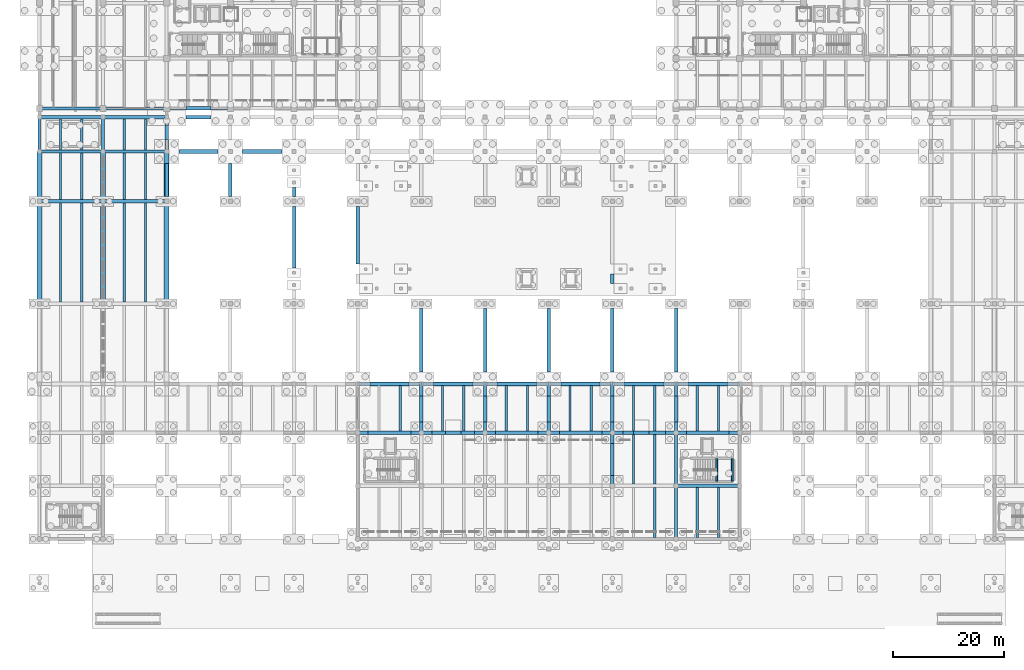
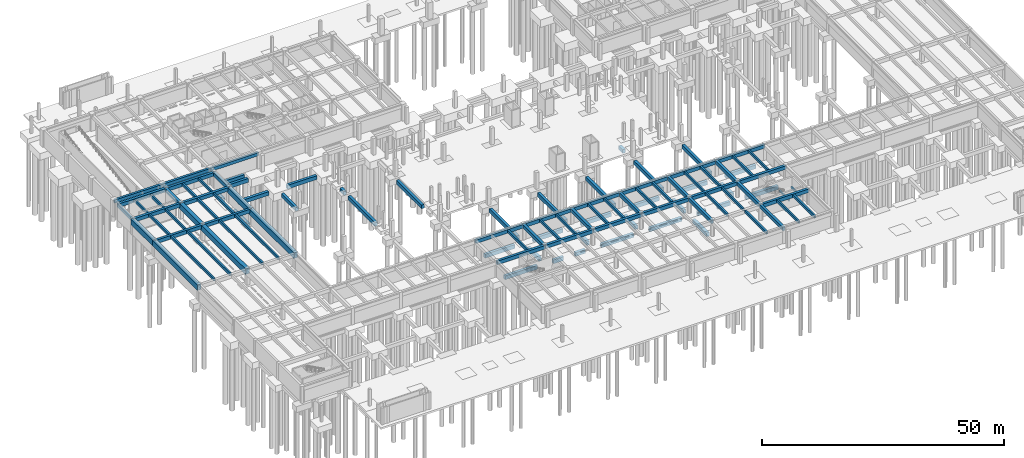
# One storey, part 12 of 28: 105 beams.
"""IFC4 building model written with IfcOpenShell, lengths in metres."""

from ifc_helpers import new_model, si_unit, direction, frame, origin, origin_2d, place, context, subcontext, project, spatial, rectangle, extrude, material, material_profile, profile_set, type_object, element, save


model = new_model("IFC4")

# Units and contexts
model_context = context("Model", 3, precision=1e-05, world=origin(), true_north=direction((0.0, 1.0)))
body_context = subcontext(model_context, "Body", "Model", "MODEL_VIEW")
ifc_project = project(units=[si_unit("LENGTHUNIT", "METRE"), si_unit("AREAUNIT", "SQUARE_METRE"), si_unit("VOLUMEUNIT", "CUBIC_METRE"), si_unit("PLANEANGLEUNIT", "RADIAN"), si_unit("MASSUNIT", "GRAM", prefix="KILO")], contexts=[model_context])

# Site, building, storey
site_placement = place(None, origin())
site = spatial("IfcSite", under=ifc_project, at=site_placement, CompositionType="ELEMENT")
building_placement = place(site_placement, origin())
building = spatial("IfcBuilding", under=site, at=building_placement, Name="Ologun Quay Terminus", CompositionType="ELEMENT")
storey_placement = place(building_placement, frame((0.0, 0.0, -8.39990234375)))
storey = spatial("IfcBuildingStorey", under=building, at=storey_placement, Name="B02", CompositionType="ELEMENT", Elevation=-8.39990234375)

# Beams
ifc_material_1 = material(Name="Concrete C40/50", Category="concrete")
ifc_material_profile_1 = material_profile(ifc_material_1, rectangle(XDim=0.300048828125, YDim=0.449951171875, at=origin_2d()), Name="RC 300x450")
ifc_profile_set_1 = profile_set([ifc_material_profile_1], Name="Concrete C40/50")
beam_type_1 = type_object("IfcBeamType", Name="Core Coupling Lintel Beam 300x450", PredefinedType="LINTEL", material=ifc_profile_set_1)
for number, where, z_axis, x_axis, name in (
    (1, (122.340087890625, 18.47998046875, 1.69482421875), (0.0, 1.0, 0.0), (-1.0, 0.0, 0.0), "LN1 Half-Landing Ledger Beam ST-S4-W B02"),
    (2, (125.159912109375, 18.47998046875, 1.69482421875), (0.0, 1.0, 0.0), (-1.0, 0.0, 0.0), "LN1 Half-Landing Ledger Beam ST-S4-E B02"),
):
    element("IfcBeam", number, at=place(storey_placement, frame(where, z_axis=z_axis, x_axis=x_axis)), inside=storey, type_object=beam_type_1, Name=name, PredefinedType="LINTEL", context=body_context, shape_type="SweptSolid", body=[
        extrude(rectangle(XDim=0.300048828125, YDim=0.449951171875, at=origin_2d()), origin(), (0.0, 0.0, 1.0), 4.0400390625),
    ])
ifc_material_2 = material(Name="Concrete C40/50", Category="concrete")
ifc_material_profile_2 = material_profile(ifc_material_2, rectangle(XDim=0.550048828125, YDim=0.800048828125, at=origin_2d()), Name="RC 550x800")
ifc_profile_set_2 = profile_set([ifc_material_profile_2], Name="Concrete C40/50")
beam_type_2 = type_object("IfcBeamType", Name="Courtyard Wing Primary Girder 550x800", PredefinedType="BEAM", material=ifc_profile_set_2)
for number, where, z_axis, x_axis, name in (
    (3, (0.0, 85.800048828125, 3.52001953125), (1.0, 0.0, 0.0), (0.0, 1.0, 0.0), "B4 Beam 1/G2 B02"),
    (4, (11.5, 85.800048828125, 3.52001953125), (1.0, 0.0, 0.0), (0.0, 1.0, 0.0), "B4 Beam 2/G2 B02"),
    (5, (23.0, 85.800048828125, 3.52001953125), (1.0, 0.0, 0.0), (0.0, 1.0, 0.0), "B4 Beam 3/G2 B02"),
):
    element("IfcBeam", number, at=place(storey_placement, frame(where, z_axis=z_axis, x_axis=x_axis)), inside=storey, type_object=beam_type_2, Name=name, PredefinedType="BEAM", context=body_context, shape_type="SweptSolid", body=[
        extrude(rectangle(XDim=0.550048828125, YDim=0.800048828125, at=origin_2d()), origin(), (0.0, 0.0, 1.0), 11.5),
    ])
ifc_material_3 = material(Name="Concrete C35/45", Category="concrete")
ifc_material_profile_3 = material_profile(ifc_material_3, rectangle(XDim=0.64990234375, YDim=0.949951171875, at=origin_2d()), Name="RC 650x950")
ifc_profile_set_3 = profile_set([ifc_material_profile_3], Name="Concrete C35/45")
beam_type_3 = type_object("IfcBeamType", Name="Foundation Tie Beam 650x950", PredefinedType="BEAM", material=ifc_profile_set_3)
beam_1_placement = place(storey_placement, frame((59.39990234375, 27.199951171875, -0.925048828125), z_axis=(1.0, 0.0, 0.0), x_axis=(0.0, 1.0, 0.0)))
element("IfcBeam", 6, at=beam_1_placement, inside=storey, type_object=beam_type_3, Name="GB1 Beam 1/D B02", PredefinedType="BEAM", context=body_context, shape_type="SweptSolid", body=[
    extrude(rectangle(XDim=0.64990234375, YDim=0.949951171875, at=origin_2d()), origin(), (0.0, 0.0, 1.0), 7.7001953125),
])
for number, where, z_axis, x_axis, name in (
    (7, (70.89990234375, 27.199951171875, -0.925048828125), (1.0, 0.0, 0.0), (0.0, 1.0, 0.0), "GB1 Beam 1/D B02"),
    (8, (76.14990234375, 27.199951171875, -0.925048828125), (1.0, 0.0, 0.0), (0.0, 1.0, 0.0), "GB1 Beam 1/D B02"),
):
    element("IfcBeam", number, at=place(storey_placement, frame(where, z_axis=z_axis, x_axis=x_axis)), inside=storey, type_object=beam_type_3, Name=name, PredefinedType="BEAM", context=body_context, shape_type="SweptSolid", body=[
        extrude(rectangle(XDim=0.64990234375, YDim=0.949951171875, at=origin_2d()), origin(), (0.0, 0.0, 1.0), 2.4501953125),
    ])
for number, where, z_axis, x_axis, name in (
    (9, (82.39990234375, 27.199951171875, -0.925048828125), (1.0, 0.0, 0.0), (0.0, 1.0, 0.0), "GB1 Beam 1/D B02"),
    (10, (93.89990234375, 27.199951171875, -0.925048828125), (1.0, 0.0, 0.0), (0.0, 1.0, 0.0), "GB1 Beam 1/D B02"),
):
    element("IfcBeam", number, at=place(storey_placement, frame(where, z_axis=z_axis, x_axis=x_axis)), inside=storey, type_object=beam_type_3, Name=name, PredefinedType="BEAM", context=body_context, shape_type="SweptSolid", body=[
        extrude(rectangle(XDim=0.64990234375, YDim=0.949951171875, at=origin_2d()), origin(), (0.0, 0.0, 1.0), 7.7001953125),
    ])
beam_2_placement = place(storey_placement, frame((105.39990234375, 27.199951171875, -0.925048828125), z_axis=(1.0, 0.0, 0.0), x_axis=(0.0, 1.0, 0.0)))
element("IfcBeam", 11, at=beam_2_placement, inside=storey, type_object=beam_type_3, Name="GB1 Beam 1/D B02", PredefinedType="BEAM", context=body_context, shape_type="SweptSolid", body=[
    extrude(rectangle(XDim=0.64990234375, YDim=0.949951171875, at=origin_2d()), origin(), (0.0, 0.0, 1.0), 1.9501953125),
])
beam_3_placement = place(storey_placement, frame((110.14990234375, 27.199951171875, -0.925048828125), z_axis=(1.0, 0.0, 0.0), x_axis=(0.0, 1.0, 0.0)))
element("IfcBeam", 12, at=beam_3_placement, inside=storey, type_object=beam_type_3, Name="GB1 Beam 1/D B02", PredefinedType="BEAM", context=body_context, shape_type="SweptSolid", body=[
    extrude(rectangle(XDim=0.64990234375, YDim=0.949951171875, at=origin_2d()), origin(), (0.0, 0.0, 1.0), 2.9501953125),
])
beam_4_placement = place(storey_placement, frame((116.89990234375, 27.199951171875, -0.925048828125), z_axis=(1.0, 0.0, 0.0), x_axis=(0.0, 1.0, 0.0)))
element("IfcBeam", 13, at=beam_4_placement, inside=storey, type_object=beam_type_3, Name="GB1 Beam 1/D B02", PredefinedType="BEAM", context=body_context, shape_type="SweptSolid", body=[
    extrude(rectangle(XDim=0.64990234375, YDim=0.949951171875, at=origin_2d()), origin(), (0.0, 0.0, 1.0), 7.7001953125),
])
for number, where, z_axis, x_axis, name in (
    (14, (59.699951171875, 36.0, -0.925048828125), (1.0, 0.0, 0.0), (0.0, 1.0, 0.0), "GB1 Beam 1/E B02"),
    (15, (71.199951171875, 36.0, -0.925048828125), (1.0, 0.0, 0.0), (0.0, 1.0, 0.0), "GB1 Beam 1/E B02"),
    (16, (82.699951171875, 36.0, -0.925048828125), (1.0, 0.0, 0.0), (0.0, 1.0, 0.0), "GB1 Beam 1/E B02"),
    (17, (94.199951171875, 36.0, -0.925048828125), (1.0, 0.0, 0.0), (0.0, 1.0, 0.0), "GB1 Beam 1/E B02"),
    (18, (105.699951171875, 36.0, -0.925048828125), (1.0, 0.0, 0.0), (0.0, 1.0, 0.0), "GB1 Beam 1/E B02"),
    (19, (117.199951171875, 36.0, -0.925048828125), (1.0, 0.0, 0.0), (0.0, 1.0, 0.0), "GB1 Beam 1/E B02"),
    (20, (25.199951171875, 78.0, -0.925048828125), (1.0, 0.0, 0.0), (0.0, 1.0, 0.0), "GB1 Beam 1/F B02"),
    (21, (36.699951171875, 78.0, -0.925048828125), (1.0, 0.0, 0.0), (0.0, 1.0, 0.0), "GB1 Beam 1/F B02"),
):
    element("IfcBeam", number, at=place(storey_placement, frame(where, z_axis=z_axis, x_axis=x_axis)), inside=storey, type_object=beam_type_3, Name=name, PredefinedType="BEAM", context=body_context, shape_type="SweptSolid", body=[
        extrude(rectangle(XDim=0.64990234375, YDim=0.949951171875, at=origin_2d()), origin(), (0.0, 0.0, 1.0), 7.10009765625),
    ])
for number, where, z_axis, x_axis, name in (
    (22, (26.5, 84.199951171875, -0.925048828125), (1.0, 0.0, 0.0), (0.0, 1.0, 0.0), "GB1 Beam 1/G1 B02"),
    (23, (26.5, 85.800048828125, -0.925048828125), (1.0, 0.0, 0.0), (0.0, 1.0, 0.0), "GB1 Beam 1/G2 B02"),
):
    element("IfcBeam", number, at=place(storey_placement, frame(where, z_axis=z_axis, x_axis=x_axis)), inside=storey, type_object=beam_type_3, Name=name, PredefinedType="BEAM", context=body_context, shape_type="SweptSolid", body=[
        extrude(rectangle(XDim=0.64990234375, YDim=0.949951171875, at=origin_2d()), origin(), (0.0, 0.0, 1.0), 4.5),
    ])
beam_5_placement = place(storey_placement, frame((23.0, 69.89990234375, -0.925048828125), z_axis=(0.0, 1.0, 0.0), x_axis=(-1.0, 0.0, 0.0)))
element("IfcBeam", 24, at=beam_5_placement, inside=storey, type_object=beam_type_3, Name="GB1 Beam 3/B B02", PredefinedType="BEAM", context=body_context, shape_type="SweptSolid", body=[
    extrude(rectangle(XDim=0.64990234375, YDim=0.949951171875, at=origin_2d()), origin(), (0.0, 0.0, 1.0), 5.900146484375),
])
beam_6_placement = place(storey_placement, frame((23.0, 80.199951171875, -0.925048828125), z_axis=(0.0, 1.0, 0.0), x_axis=(-1.0, 0.0, 0.0)))
element("IfcBeam", 25, at=beam_6_placement, inside=storey, type_object=beam_type_3, Name="GB1 Beam 3/B B02", PredefinedType="BEAM", context=body_context, shape_type="SweptSolid", body=[
    extrude(rectangle(XDim=0.64990234375, YDim=0.949951171875, at=origin_2d()), origin(), (0.0, 0.0, 1.0), 2.5),
])
beam_7_placement = place(storey_placement, frame((34.5, 69.89990234375, -0.925048828125), z_axis=(0.0, 1.0, 0.0), x_axis=(-1.0, 0.0, 0.0)))
element("IfcBeam", 26, at=beam_7_placement, inside=storey, type_object=beam_type_3, Name="GB1 Beam 4/B B02", PredefinedType="BEAM", context=body_context, shape_type="SweptSolid", body=[
    extrude(rectangle(XDim=0.64990234375, YDim=0.949951171875, at=origin_2d()), origin(), (0.0, 0.0, 1.0), 5.900146484375),
])
beam_8_placement = place(storey_placement, frame((46.0, 57.0, -0.925048828125), z_axis=(0.0, 1.0, 0.0), x_axis=(-1.0, 0.0, 0.0)))
element("IfcBeam", 27, at=beam_8_placement, inside=storey, type_object=beam_type_3, Name="GB1 Beam 5/B B02", PredefinedType="BEAM", context=body_context, shape_type="SweptSolid", body=[
    extrude(rectangle(XDim=0.64990234375, YDim=0.949951171875, at=origin_2d()), origin(), (0.0, 0.0, 1.0), 11.10009765625),
])
beam_9_placement = place(storey_placement, frame((46.0, 69.89990234375, -0.925048828125), z_axis=(0.0, 1.0, 0.0), x_axis=(-1.0, 0.0, 0.0)))
element("IfcBeam", 28, at=beam_9_placement, inside=storey, type_object=beam_type_3, Name="GB1 Beam 5/B B02", PredefinedType="BEAM", context=body_context, shape_type="SweptSolid", body=[
    extrude(rectangle(XDim=0.64990234375, YDim=0.949951171875, at=origin_2d()), origin(), (0.0, 0.0, 1.0), 1.60009765625),
])
beam_10_placement = place(storey_placement, frame((57.5, 57.64990234375, -0.925048828125), z_axis=(0.0, 1.0, 0.0), x_axis=(-1.0, 0.0, 0.0)))
element("IfcBeam", 29, at=beam_10_placement, inside=storey, type_object=beam_type_3, Name="GB1 Beam 6/B B02", PredefinedType="BEAM", context=body_context, shape_type="SweptSolid", body=[
    extrude(rectangle(XDim=0.64990234375, YDim=0.949951171875, at=origin_2d()), origin(), (0.0, 0.0, 1.0), 10.4501953125),
])
beam_11_placement = place(storey_placement, frame((69.0, 29.10009765625, -0.925048828125), z_axis=(0.0, 1.0, 0.0), x_axis=(-1.0, 0.0, 0.0)))
element("IfcBeam", 30, at=beam_11_placement, inside=storey, type_object=beam_type_3, Name="GB1 Beam 7/B B02", PredefinedType="BEAM", context=body_context, shape_type="SweptSolid", body=[
    extrude(rectangle(XDim=0.64990234375, YDim=0.949951171875, at=origin_2d()), origin(), (0.0, 0.0, 1.0), 4.699951171875),
])
beam_12_placement = place(storey_placement, frame((69.0, 38.199951171875, -0.925048828125), z_axis=(0.0, 1.0, 0.0), x_axis=(-1.0, 0.0, 0.0)))
element("IfcBeam", 31, at=beam_12_placement, inside=storey, type_object=beam_type_3, Name="GB1 Beam 7/B B02", PredefinedType="BEAM", context=body_context, shape_type="SweptSolid", body=[
    extrude(rectangle(XDim=0.64990234375, YDim=0.949951171875, at=origin_2d()), origin(), (0.0, 0.0, 1.0), 11.400146484375),
])
beam_13_placement = place(storey_placement, frame((80.5, 29.10009765625, -0.925048828125), z_axis=(0.0, 1.0, 0.0), x_axis=(-1.0, 0.0, 0.0)))
element("IfcBeam", 32, at=beam_13_placement, inside=storey, type_object=beam_type_3, Name="GB1 Beam 8/B B02", PredefinedType="BEAM", context=body_context, shape_type="SweptSolid", body=[
    extrude(rectangle(XDim=0.64990234375, YDim=0.949951171875, at=origin_2d()), origin(), (0.0, 0.0, 1.0), 4.699951171875),
])
beam_14_placement = place(storey_placement, frame((80.5, 38.199951171875, -0.925048828125), z_axis=(0.0, 1.0, 0.0), x_axis=(-1.0, 0.0, 0.0)))
element("IfcBeam", 33, at=beam_14_placement, inside=storey, type_object=beam_type_3, Name="GB1 Beam 8/B B02", PredefinedType="BEAM", context=body_context, shape_type="SweptSolid", body=[
    extrude(rectangle(XDim=0.64990234375, YDim=0.949951171875, at=origin_2d()), origin(), (0.0, 0.0, 1.0), 11.400146484375),
])
beam_15_placement = place(storey_placement, frame((92.0, 29.10009765625, -0.925048828125), z_axis=(0.0, 1.0, 0.0), x_axis=(-1.0, 0.0, 0.0)))
element("IfcBeam", 34, at=beam_15_placement, inside=storey, type_object=beam_type_3, Name="GB1 Beam 9/B B02", PredefinedType="BEAM", context=body_context, shape_type="SweptSolid", body=[
    extrude(rectangle(XDim=0.64990234375, YDim=0.949951171875, at=origin_2d()), origin(), (0.0, 0.0, 1.0), 4.699951171875),
])
beam_16_placement = place(storey_placement, frame((92.0, 38.199951171875, -0.925048828125), z_axis=(0.0, 1.0, 0.0), x_axis=(-1.0, 0.0, 0.0)))
element("IfcBeam", 35, at=beam_16_placement, inside=storey, type_object=beam_type_3, Name="GB1 Beam 9/B B02", PredefinedType="BEAM", context=body_context, shape_type="SweptSolid", body=[
    extrude(rectangle(XDim=0.64990234375, YDim=0.949951171875, at=origin_2d()), origin(), (0.0, 0.0, 1.0), 11.400146484375),
])
beam_17_placement = place(storey_placement, frame((103.5, 19.5, -0.925048828125), z_axis=(0.0, 1.0, 0.0), x_axis=(-1.0, 0.0, 0.0)))
element("IfcBeam", 36, at=beam_17_placement, inside=storey, type_object=beam_type_3, Name="GB1 Beam 10/B B02", PredefinedType="BEAM", context=body_context, shape_type="SweptSolid", body=[
    extrude(rectangle(XDim=0.64990234375, YDim=0.949951171875, at=origin_2d()), origin(), (0.0, 0.0, 1.0), 5.800048828125),
])
beam_18_placement = place(storey_placement, frame((103.5, 29.10009765625, -0.925048828125), z_axis=(0.0, 1.0, 0.0), x_axis=(-1.0, 0.0, 0.0)))
element("IfcBeam", 37, at=beam_18_placement, inside=storey, type_object=beam_type_3, Name="GB1 Beam 10/B B02", PredefinedType="BEAM", context=body_context, shape_type="SweptSolid", body=[
    extrude(rectangle(XDim=0.64990234375, YDim=0.949951171875, at=origin_2d()), origin(), (0.0, 0.0, 1.0), 4.699951171875),
])
beam_19_placement = place(storey_placement, frame((103.5, 38.199951171875, -0.925048828125), z_axis=(0.0, 1.0, 0.0), x_axis=(-1.0, 0.0, 0.0)))
element("IfcBeam", 38, at=beam_19_placement, inside=storey, type_object=beam_type_3, Name="GB1 Beam 10/B B02", PredefinedType="BEAM", context=body_context, shape_type="SweptSolid", body=[
    extrude(rectangle(XDim=0.64990234375, YDim=0.949951171875, at=origin_2d()), origin(), (0.0, 0.0, 1.0), 11.400146484375),
])
beam_20_placement = place(storey_placement, frame((103.5, 54.14990234375, -0.925048828125), z_axis=(0.0, 1.0, 0.0), x_axis=(-1.0, 0.0, 0.0)))
element("IfcBeam", 39, at=beam_20_placement, inside=storey, type_object=beam_type_3, Name="GB1 Beam 10/B B02", PredefinedType="BEAM", context=body_context, shape_type="SweptSolid", body=[
    extrude(rectangle(XDim=0.64990234375, YDim=0.949951171875, at=origin_2d()), origin(), (0.0, 0.0, 1.0), 1.7001953125),
])
beam_21_placement = place(storey_placement, frame((115.0, 29.10009765625, -0.925048828125), z_axis=(0.0, 1.0, 0.0), x_axis=(-1.0, 0.0, 0.0)))
element("IfcBeam", 40, at=beam_21_placement, inside=storey, type_object=beam_type_3, Name="GB1 Beam 11/B B02", PredefinedType="BEAM", context=body_context, shape_type="SweptSolid", body=[
    extrude(rectangle(XDim=0.64990234375, YDim=0.949951171875, at=origin_2d()), origin(), (0.0, 0.0, 1.0), 4.699951171875),
])
beam_22_placement = place(storey_placement, frame((115.0, 38.199951171875, -0.925048828125), z_axis=(0.0, 1.0, 0.0), x_axis=(-1.0, 0.0, 0.0)))
element("IfcBeam", 41, at=beam_22_placement, inside=storey, type_object=beam_type_3, Name="GB1 Beam 11/B B02", PredefinedType="BEAM", context=body_context, shape_type="SweptSolid", body=[
    extrude(rectangle(XDim=0.64990234375, YDim=0.949951171875, at=origin_2d()), origin(), (0.0, 0.0, 1.0), 11.400146484375),
])
ifc_material_4 = material(Name="Concrete C45/55", Category="concrete")
ifc_material_profile_4 = material_profile(ifc_material_4, rectangle(XDim=0.89990234375, YDim=1.39990234375, at=origin_2d()), Name="RC 900x1400")
ifc_profile_set_4 = profile_set([ifc_material_profile_4], Name="Concrete C45/55")
beam_type_4 = type_object("IfcBeamType", Name="Heavy Track Deck Girder 900x1400", PredefinedType="BEAM", material=ifc_profile_set_4)
beam_23_placement = place(storey_placement, frame((0.0, 50.5, 3.219970703125), z_axis=(0.0, 1.0, 0.0), x_axis=(-1.0, 0.0, 0.0)))
element("IfcBeam", 42, at=beam_23_placement, inside=storey, type_object=beam_type_4, Name="B1 Beam 1/E B02", PredefinedType="BEAM", context=body_context, shape_type="SweptSolid", body=[
    extrude(rectangle(XDim=0.89990234375, YDim=1.39990234375, at=origin_2d()), origin(), (0.0, 0.0, 1.0), 18.5),
])
beam_24_placement = place(storey_placement, frame((0.0, 69.0, 3.219970703125), z_axis=(0.0, 1.0, 0.0), x_axis=(-1.0, 0.0, 0.0)))
element("IfcBeam", 43, at=beam_24_placement, inside=storey, type_object=beam_type_4, Name="B1 Beam 1/E B02", PredefinedType="BEAM", context=body_context, shape_type="SweptSolid", body=[
    extrude(rectangle(XDim=0.89990234375, YDim=1.39990234375, at=origin_2d()), origin(), (0.0, 0.0, 1.0), 9.0),
])
beam_25_placement = place(storey_placement, frame((11.5, 50.5, 3.219970703125), z_axis=(0.0, 1.0, 0.0), x_axis=(-1.0, 0.0, 0.0)))
element("IfcBeam", 44, at=beam_25_placement, inside=storey, type_object=beam_type_4, Name="B1 Beam 2/E B02", PredefinedType="BEAM", context=body_context, shape_type="SweptSolid", body=[
    extrude(rectangle(XDim=0.89990234375, YDim=1.39990234375, at=origin_2d()), origin(), (0.0, 0.0, 1.0), 18.5),
])
beam_26_placement = place(storey_placement, frame((11.5, 69.0, 3.219970703125), z_axis=(0.0, 1.0, 0.0), x_axis=(-1.0, 0.0, 0.0)))
element("IfcBeam", 45, at=beam_26_placement, inside=storey, type_object=beam_type_4, Name="B1 Beam 2/E B02", PredefinedType="BEAM", context=body_context, shape_type="SweptSolid", body=[
    extrude(rectangle(XDim=0.89990234375, YDim=1.39990234375, at=origin_2d()), origin(), (0.0, 0.0, 1.0), 9.0),
])
beam_27_placement = place(storey_placement, frame((23.0, 50.5, 3.219970703125), z_axis=(0.0, 1.0, 0.0), x_axis=(-1.0, 0.0, 0.0)))
element("IfcBeam", 46, at=beam_27_placement, inside=storey, type_object=beam_type_4, Name="B1 Beam 3/E B02", PredefinedType="BEAM", context=body_context, shape_type="SweptSolid", body=[
    extrude(rectangle(XDim=0.89990234375, YDim=1.39990234375, at=origin_2d()), origin(), (0.0, 0.0, 1.0), 18.5),
])
beam_28_placement = place(storey_placement, frame((23.0, 69.0, 3.219970703125), z_axis=(0.0, 1.0, 0.0), x_axis=(-1.0, 0.0, 0.0)))
element("IfcBeam", 47, at=beam_28_placement, inside=storey, type_object=beam_type_4, Name="B1 Beam 3/E B02", PredefinedType="BEAM", context=body_context, shape_type="SweptSolid", body=[
    extrude(rectangle(XDim=0.89990234375, YDim=1.39990234375, at=origin_2d()), origin(), (0.0, 0.0, 1.0), 9.0),
])
ifc_material_5 = material(Name="Concrete C40/50", Category="concrete")
ifc_material_profile_5 = material_profile(ifc_material_5, rectangle(XDim=0.449951171875, YDim=0.699951171875, at=origin_2d()), Name="RC 450x700")
ifc_profile_set_5 = profile_set([ifc_material_profile_5], Name="Concrete C40/50")
beam_type_5 = type_object("IfcBeamType", Name="Perimeter Spandrel Beam 450x700", PredefinedType="SPANDREL", material=ifc_profile_set_5)
beam_29_placement = place(storey_placement, frame((0.0, 78.0, 3.56982421875), z_axis=(0.0, 1.0, 0.0), x_axis=(-1.0, 0.0, 0.0)))
element("IfcBeam", 48, at=beam_29_placement, inside=storey, type_object=beam_type_5, Name="SP1 Beam 1/F B02", PredefinedType="SPANDREL", context=body_context, shape_type="SweptSolid", body=[
    extrude(rectangle(XDim=0.449951171875, YDim=0.699951171875, at=origin_2d()), origin(), (0.0, 0.0, 1.0), 6.199951171875),
])
ifc_material_6 = material(Name="Concrete C40/50", Category="concrete")
ifc_material_profile_6 = material_profile(ifc_material_6, rectangle(XDim=0.60009765625, YDim=0.89990234375, at=origin_2d()), Name="RC 600x900")
ifc_profile_set_6 = profile_set([ifc_material_profile_6], Name="Concrete C40/50")
beam_type_6 = type_object("IfcBeamType", Name="Station Frame Girder 600x900", PredefinedType="BEAM", material=ifc_profile_set_6)
for number, where, z_axis, x_axis, name in (
    (49, (115.0, 17.60009765625, 3.469970703125), (1.0, 0.0, 0.0), (0.0, 1.0, 0.0), "B3 Beam 11/C B02"),
    (50, (57.5, 27.199951171875, 3.469970703125), (1.0, 0.0, 0.0), (0.0, 1.0, 0.0), "B3 Beam 6/D B02"),
    (51, (69.0, 27.199951171875, 3.469970703125), (1.0, 0.0, 0.0), (0.0, 1.0, 0.0), "B3 Beam 7/D B02"),
    (52, (80.5, 27.199951171875, 3.469970703125), (1.0, 0.0, 0.0), (0.0, 1.0, 0.0), "B3 Beam 8/D B02"),
    (53, (92.0, 27.199951171875, 3.469970703125), (1.0, 0.0, 0.0), (0.0, 1.0, 0.0), "B3 Beam 9/D B02"),
    (54, (103.5, 27.199951171875, 3.469970703125), (1.0, 0.0, 0.0), (0.0, 1.0, 0.0), "B3 Beam 10/D B02"),
    (55, (115.0, 27.199951171875, 3.469970703125), (1.0, 0.0, 0.0), (0.0, 1.0, 0.0), "B3 Beam 11/D B02"),
    (56, (57.5, 36.0, 3.469970703125), (1.0, 0.0, 0.0), (0.0, 1.0, 0.0), "B3 Beam 6/E B02"),
    (57, (69.0, 36.0, 3.469970703125), (1.0, 0.0, 0.0), (0.0, 1.0, 0.0), "B3 Beam 7/E B02"),
    (58, (80.5, 36.0, 3.469970703125), (1.0, 0.0, 0.0), (0.0, 1.0, 0.0), "B3 Beam 8/E B02"),
    (59, (92.0, 36.0, 3.469970703125), (1.0, 0.0, 0.0), (0.0, 1.0, 0.0), "B3 Beam 9/E B02"),
    (60, (103.5, 36.0, 3.469970703125), (1.0, 0.0, 0.0), (0.0, 1.0, 0.0), "B3 Beam 10/E B02"),
    (61, (115.0, 36.0, 3.469970703125), (1.0, 0.0, 0.0), (0.0, 1.0, 0.0), "B3 Beam 11/E B02"),
    (62, (0.0, 78.0, 3.469970703125), (1.0, 0.0, 0.0), (0.0, 1.0, 0.0), "B3 Beam 1/F B02"),
    (63, (11.5, 78.0, 3.469970703125), (1.0, 0.0, 0.0), (0.0, 1.0, 0.0), "B3 Beam 2/F B02"),
    (64, (0.0, 84.199951171875, 3.469970703125), (1.0, 0.0, 0.0), (0.0, 1.0, 0.0), "B3 Beam 1/G1 B02"),
    (65, (11.5, 84.199951171875, 3.469970703125), (1.0, 0.0, 0.0), (0.0, 1.0, 0.0), "B3 Beam 2/G1 B02"),
    (66, (0.0, 69.0, 3.469970703125), (1.0, 0.0, 0.0), (0.0, 1.0, 0.0), "B3 Beam 1/E B02"),
    (67, (11.5, 69.0, 3.469970703125), (1.0, 0.0, 0.0), (0.0, 1.0, 0.0), "B3 Beam 2/E B02"),
):
    element("IfcBeam", number, at=place(storey_placement, frame(where, z_axis=z_axis, x_axis=x_axis)), inside=storey, type_object=beam_type_6, Name=name, PredefinedType="BEAM", context=body_context, shape_type="SweptSolid", body=[
        extrude(rectangle(XDim=0.60009765625, YDim=0.89990234375, at=origin_2d()), origin(), (0.0, 0.0, 1.0), 11.5),
    ])
for number, where, z_axis, x_axis, name in (
    (68, (11.5, 78.0, 3.469970703125), (0.0, 1.0, 0.0), (-1.0, 0.0, 0.0), "B3 Beam 2/F B02"),
    (69, (23.0, 78.0, 3.469970703125), (0.0, 1.0, 0.0), (-1.0, 0.0, 0.0), "B3 Beam 3/F B02"),
):
    element("IfcBeam", number, at=place(storey_placement, frame(where, z_axis=z_axis, x_axis=x_axis)), inside=storey, type_object=beam_type_6, Name=name, PredefinedType="BEAM", context=body_context, shape_type="SweptSolid", body=[
        extrude(rectangle(XDim=0.60009765625, YDim=0.89990234375, at=origin_2d()), origin(), (0.0, 0.0, 1.0), 6.199951171875),
    ])
for number, where, z_axis, x_axis, name in (
    (70, (69.0, 27.199951171875, 3.469970703125), (0.0, 1.0, 0.0), (-1.0, 0.0, 0.0), "B3 Beam 7/D B02"),
    (71, (80.5, 27.199951171875, 3.469970703125), (0.0, 1.0, 0.0), (-1.0, 0.0, 0.0), "B3 Beam 8/D B02"),
    (72, (92.0, 27.199951171875, 3.469970703125), (0.0, 1.0, 0.0), (-1.0, 0.0, 0.0), "B3 Beam 9/D B02"),
):
    element("IfcBeam", number, at=place(storey_placement, frame(where, z_axis=z_axis, x_axis=x_axis)), inside=storey, type_object=beam_type_6, Name=name, PredefinedType="BEAM", context=body_context, shape_type="SweptSolid", body=[
        extrude(rectangle(XDim=0.60009765625, YDim=0.89990234375, at=origin_2d()), origin(), (0.0, 0.0, 1.0), 8.800048828125),
    ])
beam_30_placement = place(storey_placement, frame((103.5, 17.60009765625, 3.469970703125), z_axis=(0.0, 1.0, 0.0), x_axis=(-1.0, 0.0, 0.0)))
element("IfcBeam", 73, at=beam_30_placement, inside=storey, type_object=beam_type_6, Name="B3 Beam 10/C B02", PredefinedType="BEAM", context=body_context, shape_type="SweptSolid", body=[
    extrude(rectangle(XDim=0.60009765625, YDim=0.89990234375, at=origin_2d()), origin(), (0.0, 0.0, 1.0), 9.599853515625),
])
beam_31_placement = place(storey_placement, frame((103.5, 27.199951171875, 3.469970703125), z_axis=(0.0, 1.0, 0.0), x_axis=(-1.0, 0.0, 0.0)))
element("IfcBeam", 74, at=beam_31_placement, inside=storey, type_object=beam_type_6, Name="B3 Beam 10/D B02", PredefinedType="BEAM", context=body_context, shape_type="SweptSolid", body=[
    extrude(rectangle(XDim=0.60009765625, YDim=0.89990234375, at=origin_2d()), origin(), (0.0, 0.0, 1.0), 8.800048828125),
])
beam_32_placement = place(storey_placement, frame((115.0, 8.0, 3.469970703125), z_axis=(0.0, 1.0, 0.0), x_axis=(-1.0, 0.0, 0.0)))
element("IfcBeam", 75, at=beam_32_placement, inside=storey, type_object=beam_type_6, Name="B3 Beam 11/B B02", PredefinedType="BEAM", context=body_context, shape_type="SweptSolid", body=[
    extrude(rectangle(XDim=0.60009765625, YDim=0.89990234375, at=origin_2d()), origin(), (0.0, 0.0, 1.0), 9.60009765625),
])
beam_33_placement = place(storey_placement, frame((115.0, 17.60009765625, 3.469970703125), z_axis=(0.0, 1.0, 0.0), x_axis=(-1.0, 0.0, 0.0)))
element("IfcBeam", 76, at=beam_33_placement, inside=storey, type_object=beam_type_6, Name="B3 Beam 11/C B02", PredefinedType="BEAM", context=body_context, shape_type="SweptSolid", body=[
    extrude(rectangle(XDim=0.60009765625, YDim=0.89990234375, at=origin_2d()), origin(), (0.0, 0.0, 1.0), 9.599853515625),
])
beam_34_placement = place(storey_placement, frame((115.0, 27.199951171875, 3.469970703125), z_axis=(0.0, 1.0, 0.0), x_axis=(-1.0, 0.0, 0.0)))
element("IfcBeam", 77, at=beam_34_placement, inside=storey, type_object=beam_type_6, Name="B3 Beam 11/D B02", PredefinedType="BEAM", context=body_context, shape_type="SweptSolid", body=[
    extrude(rectangle(XDim=0.60009765625, YDim=0.89990234375, at=origin_2d()), origin(), (0.0, 0.0, 1.0), 8.800048828125),
])
ifc_material_7 = material(Name="Concrete C40/50", Category="concrete")
ifc_material_profile_7 = material_profile(ifc_material_7, rectangle(XDim=0.39990234375, YDim=0.64990234375, at=origin_2d()), Name="RC 400x650")
ifc_profile_set_7 = profile_set([ifc_material_profile_7], Name="Concrete C40/50")
beam_type_7 = type_object("IfcBeamType", Name="Station Secondary Joist 400x650", PredefinedType="JOIST", material=ifc_profile_set_7)
beam_35_placement = place(storey_placement, frame((3.833251953125, 50.800048828125, 3.594970703125), z_axis=(0.0, 1.0, 0.0), x_axis=(-1.0, 0.0, 0.0)))
element("IfcBeam", 78, at=beam_35_placement, inside=storey, type_object=beam_type_7, Name="J1 Beam 1/E B02", PredefinedType="JOIST", context=body_context, shape_type="SweptSolid", body=[
    extrude(rectangle(XDim=0.39990234375, YDim=0.64990234375, at=origin_2d()), origin(), (0.0, 0.0, 1.0), 17.89990234375),
])
beam_36_placement = place(storey_placement, frame((3.833251953125, 69.300048828125, 3.594970703125), z_axis=(0.0, 1.0, 0.0), x_axis=(-1.0, 0.0, 0.0)))
element("IfcBeam", 79, at=beam_36_placement, inside=storey, type_object=beam_type_7, Name="J1 Beam 1/E B02", PredefinedType="JOIST", context=body_context, shape_type="SweptSolid", body=[
    extrude(rectangle(XDim=0.39990234375, YDim=0.64990234375, at=origin_2d()), origin(), (0.0, 0.0, 1.0), 8.39990234375),
])
beam_37_placement = place(storey_placement, frame((7.666748046875, 50.800048828125, 3.594970703125), z_axis=(0.0, 1.0, 0.0), x_axis=(-1.0, 0.0, 0.0)))
element("IfcBeam", 80, at=beam_37_placement, inside=storey, type_object=beam_type_7, Name="J1 Beam 1/E B02", PredefinedType="JOIST", context=body_context, shape_type="SweptSolid", body=[
    extrude(rectangle(XDim=0.39990234375, YDim=0.64990234375, at=origin_2d()), origin(), (0.0, 0.0, 1.0), 17.89990234375),
])
beam_38_placement = place(storey_placement, frame((7.666748046875, 69.300048828125, 3.594970703125), z_axis=(0.0, 1.0, 0.0), x_axis=(-1.0, 0.0, 0.0)))
element("IfcBeam", 81, at=beam_38_placement, inside=storey, type_object=beam_type_7, Name="J1 Beam 1/E B02", PredefinedType="JOIST", context=body_context, shape_type="SweptSolid", body=[
    extrude(rectangle(XDim=0.39990234375, YDim=0.64990234375, at=origin_2d()), origin(), (0.0, 0.0, 1.0), 8.39990234375),
])
beam_39_placement = place(storey_placement, frame((15.333251953125, 50.800048828125, 3.594970703125), z_axis=(0.0, 1.0, 0.0), x_axis=(-1.0, 0.0, 0.0)))
element("IfcBeam", 82, at=beam_39_placement, inside=storey, type_object=beam_type_7, Name="J1 Beam 2/E B02", PredefinedType="JOIST", context=body_context, shape_type="SweptSolid", body=[
    extrude(rectangle(XDim=0.39990234375, YDim=0.64990234375, at=origin_2d()), origin(), (0.0, 0.0, 1.0), 17.89990234375),
])
beam_40_placement = place(storey_placement, frame((15.333251953125, 69.300048828125, 3.594970703125), z_axis=(0.0, 1.0, 0.0), x_axis=(-1.0, 0.0, 0.0)))
element("IfcBeam", 83, at=beam_40_placement, inside=storey, type_object=beam_type_7, Name="J1 Beam 2/E B02", PredefinedType="JOIST", context=body_context, shape_type="SweptSolid", body=[
    extrude(rectangle(XDim=0.39990234375, YDim=0.64990234375, at=origin_2d()), origin(), (0.0, 0.0, 1.0), 8.39990234375),
])
beam_41_placement = place(storey_placement, frame((19.166748046875, 50.800048828125, 3.594970703125), z_axis=(0.0, 1.0, 0.0), x_axis=(-1.0, 0.0, 0.0)))
element("IfcBeam", 84, at=beam_41_placement, inside=storey, type_object=beam_type_7, Name="J1 Beam 2/E B02", PredefinedType="JOIST", context=body_context, shape_type="SweptSolid", body=[
    extrude(rectangle(XDim=0.39990234375, YDim=0.64990234375, at=origin_2d()), origin(), (0.0, 0.0, 1.0), 17.89990234375),
])
beam_42_placement = place(storey_placement, frame((19.166748046875, 69.300048828125, 3.594970703125), z_axis=(0.0, 1.0, 0.0), x_axis=(-1.0, 0.0, 0.0)))
element("IfcBeam", 85, at=beam_42_placement, inside=storey, type_object=beam_type_7, Name="J1 Beam 2/E B02", PredefinedType="JOIST", context=body_context, shape_type="SweptSolid", body=[
    extrude(rectangle(XDim=0.39990234375, YDim=0.64990234375, at=origin_2d()), origin(), (0.0, 0.0, 1.0), 8.39990234375),
])
for number, where, z_axis, x_axis, name in (
    (86, (3.833251953125, 78.300048828125, 3.594970703125), (0.0, 1.0, 0.0), (-1.0, 0.0, 0.0), "J1 Beam 1/F B02"),
    (87, (7.666748046875, 78.300048828125, 3.594970703125), (0.0, 1.0, 0.0), (-1.0, 0.0, 0.0), "J1 Beam 1/F B02"),
    (88, (15.333251953125, 78.300048828125, 3.594970703125), (0.0, 1.0, 0.0), (-1.0, 0.0, 0.0), "J1 Beam 2/F B02"),
    (89, (19.166748046875, 78.300048828125, 3.594970703125), (0.0, 1.0, 0.0), (-1.0, 0.0, 0.0), "J1 Beam 2/F B02"),
):
    element("IfcBeam", number, at=place(storey_placement, frame(where, z_axis=z_axis, x_axis=x_axis)), inside=storey, type_object=beam_type_7, Name=name, PredefinedType="JOIST", context=body_context, shape_type="SweptSolid", body=[
        extrude(rectangle(XDim=0.39990234375, YDim=0.64990234375, at=origin_2d()), origin(), (0.0, 0.0, 1.0), 5.599853515625),
    ])
for number, where, z_axis, x_axis, name in (
    (90, (65.166748046875, 27.5, 3.594970703125), (0.0, 1.0, 0.0), (-1.0, 0.0, 0.0), "J1 Beam 6/D B02"),
    (91, (72.833251953125, 27.5, 3.594970703125), (0.0, 1.0, 0.0), (-1.0, 0.0, 0.0), "J1 Beam 7/D B02"),
    (92, (76.666748046875, 27.5, 3.594970703125), (0.0, 1.0, 0.0), (-1.0, 0.0, 0.0), "J1 Beam 7/D B02"),
    (93, (84.333251953125, 27.5, 3.594970703125), (0.0, 1.0, 0.0), (-1.0, 0.0, 0.0), "J1 Beam 8/D B02"),
    (94, (88.166748046875, 27.5, 3.594970703125), (0.0, 1.0, 0.0), (-1.0, 0.0, 0.0), "J1 Beam 8/D B02"),
    (95, (95.833251953125, 27.5, 3.594970703125), (0.0, 1.0, 0.0), (-1.0, 0.0, 0.0), "J1 Beam 9/D B02"),
    (96, (99.666748046875, 27.5, 3.594970703125), (0.0, 1.0, 0.0), (-1.0, 0.0, 0.0), "J1 Beam 9/D B02"),
):
    element("IfcBeam", number, at=place(storey_placement, frame(where, z_axis=z_axis, x_axis=x_axis)), inside=storey, type_object=beam_type_7, Name=name, PredefinedType="JOIST", context=body_context, shape_type="SweptSolid", body=[
        extrude(rectangle(XDim=0.39990234375, YDim=0.64990234375, at=origin_2d()), origin(), (0.0, 0.0, 1.0), 8.199951171875),
    ])
for number, where, z_axis, x_axis, name in (
    (97, (111.166748046875, 8.300048828125, 3.594970703125), (0.0, 1.0, 0.0), (-1.0, 0.0, 0.0), "J1 Beam 10/B B02"),
    (98, (107.333251953125, 17.89990234375, 3.594970703125), (0.0, 1.0, 0.0), (-1.0, 0.0, 0.0), "J1 Beam 10/C B02"),
    (99, (111.166748046875, 17.89990234375, 3.594970703125), (0.0, 1.0, 0.0), (-1.0, 0.0, 0.0), "J1 Beam 10/C B02"),
):
    element("IfcBeam", number, at=place(storey_placement, frame(where, z_axis=z_axis, x_axis=x_axis)), inside=storey, type_object=beam_type_7, Name=name, PredefinedType="JOIST", context=body_context, shape_type="SweptSolid", body=[
        extrude(rectangle(XDim=0.39990234375, YDim=0.64990234375, at=origin_2d()), origin(), (0.0, 0.0, 1.0), 9.0),
    ])
for number, where, z_axis, x_axis, name in (
    (100, (107.333251953125, 27.5, 3.594970703125), (0.0, 1.0, 0.0), (-1.0, 0.0, 0.0), "J1 Beam 10/D B02"),
    (101, (111.166748046875, 27.5, 3.594970703125), (0.0, 1.0, 0.0), (-1.0, 0.0, 0.0), "J1 Beam 10/D B02"),
):
    element("IfcBeam", number, at=place(storey_placement, frame(where, z_axis=z_axis, x_axis=x_axis)), inside=storey, type_object=beam_type_7, Name=name, PredefinedType="JOIST", context=body_context, shape_type="SweptSolid", body=[
        extrude(rectangle(XDim=0.39990234375, YDim=0.64990234375, at=origin_2d()), origin(), (0.0, 0.0, 1.0), 8.199951171875),
    ])
for number, where, z_axis, x_axis, name in (
    (102, (118.833251953125, 8.300048828125, 3.594970703125), (0.0, 1.0, 0.0), (-1.0, 0.0, 0.0), "J1 Beam 11/B B02"),
    (103, (122.666748046875, 8.300048828125, 3.594970703125), (0.0, 1.0, 0.0), (-1.0, 0.0, 0.0), "J1 Beam 11/B B02"),
):
    element("IfcBeam", number, at=place(storey_placement, frame(where, z_axis=z_axis, x_axis=x_axis)), inside=storey, type_object=beam_type_7, Name=name, PredefinedType="JOIST", context=body_context, shape_type="SweptSolid", body=[
        extrude(rectangle(XDim=0.39990234375, YDim=0.64990234375, at=origin_2d()), origin(), (0.0, 0.0, 1.0), 9.0),
    ])
for number, where, z_axis, x_axis, name in (
    (104, (118.833251953125, 27.5, 3.594970703125), (0.0, 1.0, 0.0), (-1.0, 0.0, 0.0), "J1 Beam 11/D B02"),
    (105, (122.666748046875, 27.5, 3.594970703125), (0.0, 1.0, 0.0), (-1.0, 0.0, 0.0), "J1 Beam 11/D B02"),
):
    element("IfcBeam", number, at=place(storey_placement, frame(where, z_axis=z_axis, x_axis=x_axis)), inside=storey, type_object=beam_type_7, Name=name, PredefinedType="JOIST", context=body_context, shape_type="SweptSolid", body=[
        extrude(rectangle(XDim=0.39990234375, YDim=0.64990234375, at=origin_2d()), origin(), (0.0, 0.0, 1.0), 8.199951171875),
    ])

save(model, "model.ifc")
